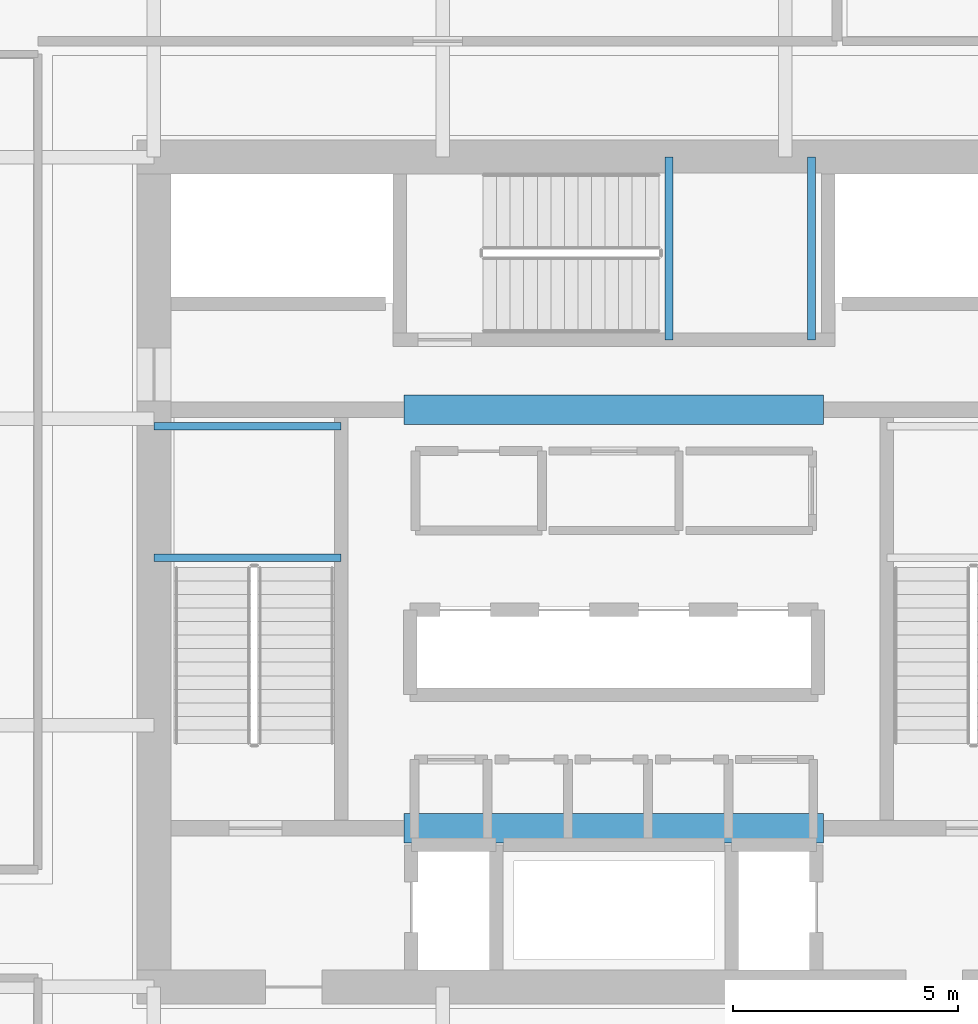
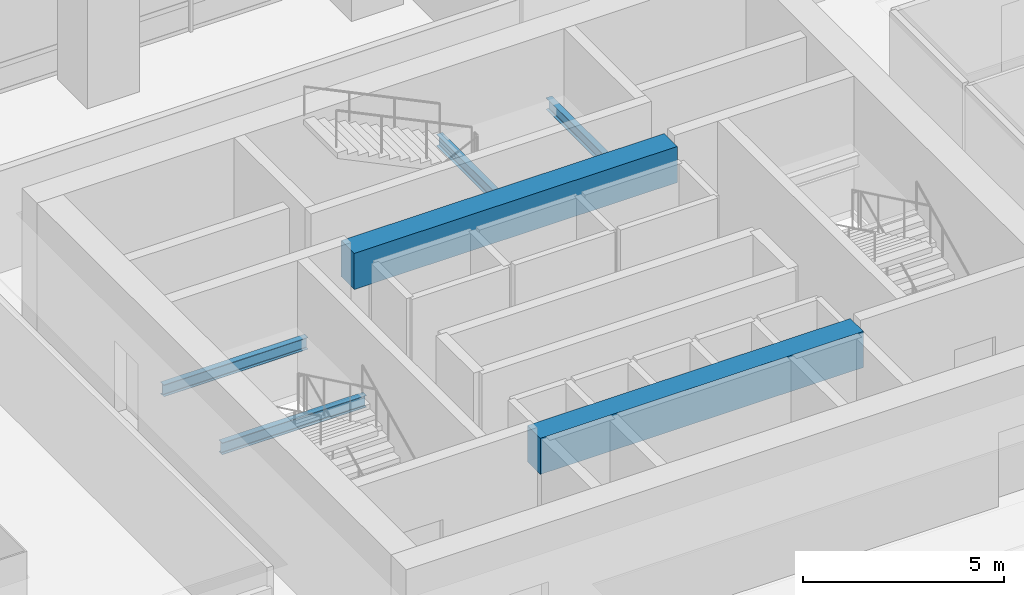
# One storey, part 12 of 35: 6 beams.
"""IFC4 building model written with IfcOpenShell, lengths in metres."""

from ifc_helpers import new_model, si_unit, direction, frame, origin, origin_2d, place, context, subcontext, project, spatial, rectangle, i_section, extrude, material, material_profile, profile_set, type_object, element, save


model = new_model("IFC4")

# Units and contexts
model_context = context("Model", 3, precision=1e-05, world=origin(), true_north=direction((0.0, 1.0)))
body_context = subcontext(model_context, "Body", "Model", "MODEL_VIEW")
ifc_project = project(units=[si_unit("LENGTHUNIT", "METRE"), si_unit("AREAUNIT", "SQUARE_METRE"), si_unit("VOLUMEUNIT", "CUBIC_METRE"), si_unit("PLANEANGLEUNIT", "RADIAN"), si_unit("MASSUNIT", "GRAM", prefix="KILO")], contexts=[model_context])

# Site, building, storey
site_placement = place(None, origin())
site = spatial("IfcSite", under=ifc_project, at=site_placement, CompositionType="ELEMENT")
building_placement = place(site_placement, origin())
building = spatial("IfcBuilding", under=site, at=building_placement, Name="Punatoya Terracotta Tower", CompositionType="ELEMENT")
storey_placement = place(building_placement, frame((0.0, 0.0, 52.5)))
storey = spatial("IfcBuildingStorey", under=building, at=storey_placement, Name="L11", CompositionType="ELEMENT", Elevation=52.5)

# Beams
ifc_material_1 = material(Name="Concrete C60/75", Category="concrete")
ifc_material_profile_1 = material_profile(ifc_material_1, rectangle(XDim=0.64990234375, YDim=1.10009765625, at=origin_2d()))
ifc_profile_set_1 = profile_set([ifc_material_profile_1], Name="Concrete C60/75")
beam_type_1 = type_object("IfcBeamType", Name="BM-RC-1100", PredefinedType="LINTEL", material=ifc_profile_set_1)
for number, where, z_axis, x_axis, name in (
    (1, (-4.64990234375, -5.679931640625, 3.260009765625), (1.0, 0.0, 0.0), (0.0, 1.0, 0.0), "L11 Core Coupling Lintel CSW"),
    (2, (-4.64990234375, 3.60009765625, 3.260009765625), (1.0, 0.0, 0.0), (0.0, 1.0, 0.0), "L11 Core Coupling Lintel CNW"),
):
    element("IfcBeam", number, at=place(storey_placement, frame(where, z_axis=z_axis, x_axis=x_axis)), inside=storey, type_object=beam_type_1, Name=name, PredefinedType="LINTEL", context=body_context, shape_type="SweptSolid", body=[
        extrude(rectangle(XDim=0.64990234375, YDim=1.10009765625, at=origin_2d()), origin(), (0.0, 0.0, 1.0), 9.2998046875),
    ])
ifc_material_2 = material(Name="Steel S355", Category="steel")
ifc_material_profile_2 = material_profile(ifc_material_2, i_section(OverallWidth=0.169921875, OverallDepth=0.360107421875, WebThickness=0.008056640625, FlangeThickness=0.0126953125, FilletRadius=0.01806640625, at=origin_2d()))
ifc_profile_set_2 = profile_set([ifc_material_profile_2], Name="Steel S355")
beam_type_2 = type_object("IfcBeamType", Name="BM-SEC-360", PredefinedType="JOIST", material=ifc_profile_set_2)
for number, where, z_axis, x_axis, name in (
    (3, (-10.199951171875, 0.320068359375, 1.64501953125), (1.0, 0.0, 0.0), (0.0, 1.0, 0.0), "BM-L11-ST-1-LD1A"),
    (4, (-10.199951171875, 3.22998046875, 1.64501953125), (1.0, 0.0, 0.0), (0.0, 1.0, 0.0), "BM-L11-ST-1-LD1B"),
):
    element("IfcBeam", number, at=place(storey_placement, frame(where, z_axis=z_axis, x_axis=x_axis)), inside=storey, type_object=beam_type_2, Name=name, PredefinedType="JOIST", context=body_context, shape_type="SweptSolid", body=[
        extrude(i_section(OverallWidth=0.169921875, OverallDepth=0.360107421875, WebThickness=0.008056640625, FlangeThickness=0.0126953125, FilletRadius=0.01806640625, at=origin_2d()), origin(), (0.0, 0.0, 1.0), 4.14990234375),
    ])
for number, where, z_axis, x_axis, name in (
    (5, (1.219970703125, 5.14990234375, 1.64501953125), (0.0, 1.0, 0.0), (-1.0, 0.0, 0.0), "BM-L11-ST-3-LD1A"),
    (6, (4.3798828125, 5.14990234375, 1.64501953125), (0.0, 1.0, 0.0), (-1.0, 0.0, 0.0), "BM-L11-ST-3-LD1B"),
):
    element("IfcBeam", number, at=place(storey_placement, frame(where, z_axis=z_axis, x_axis=x_axis)), inside=storey, type_object=beam_type_2, Name=name, PredefinedType="JOIST", context=body_context, shape_type="SweptSolid", body=[
        extrude(i_section(OverallWidth=0.169921875, OverallDepth=0.360107421875, WebThickness=0.008056640625, FlangeThickness=0.0126953125, FilletRadius=0.01806640625, at=origin_2d()), origin(), (0.0, 0.0, 1.0), 4.050048828125),
    ])

save(model, "model.ifc")
